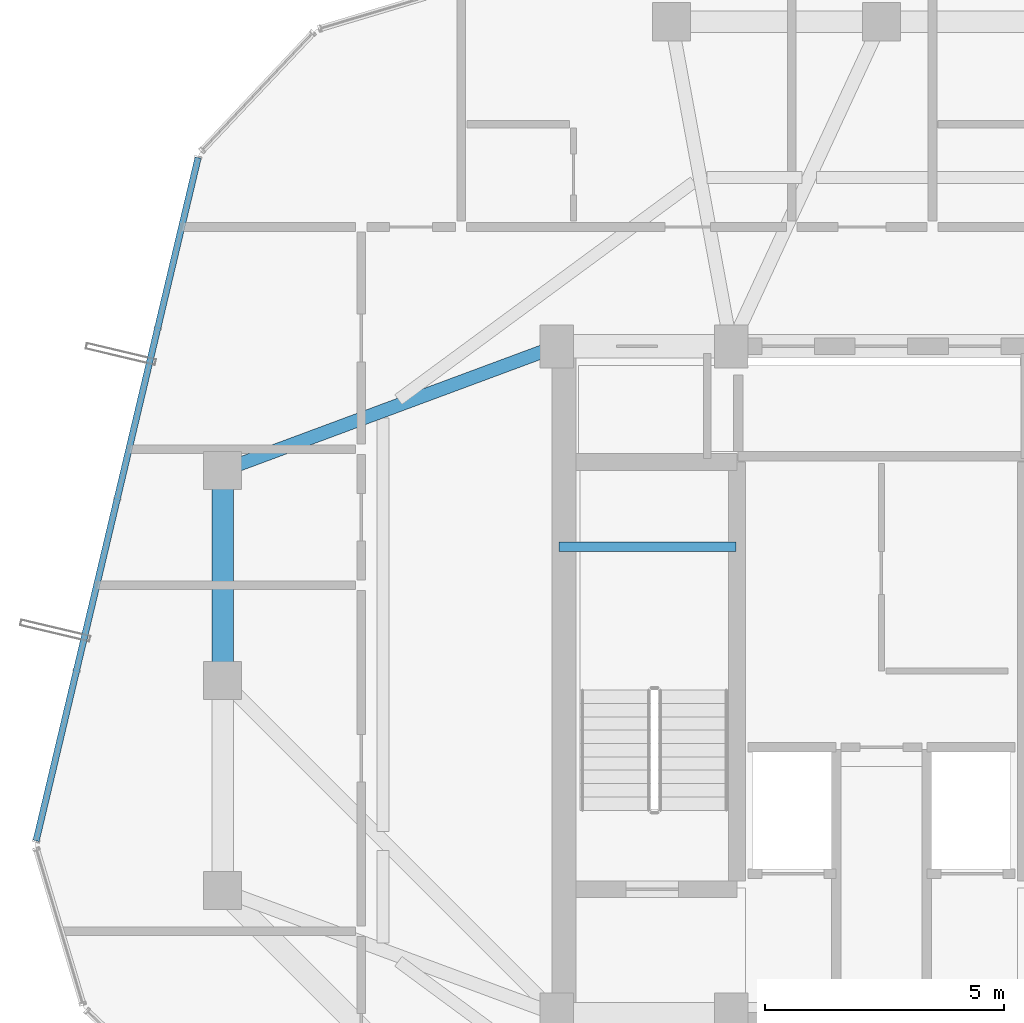
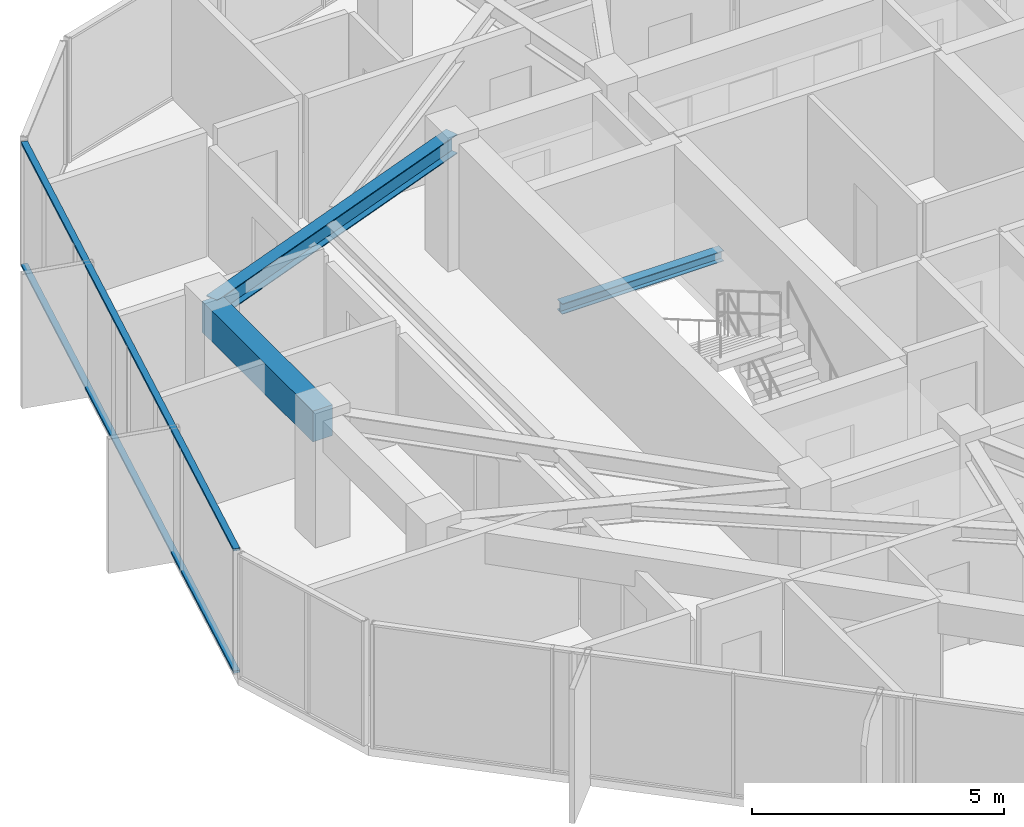
# One storey, part 12 of 28: 3 beams, 2 members, 1 element without a shape of its own.
"""IFC4 building model written with IfcOpenShell, lengths in metres."""

from ifc_helpers import new_model, si_unit, direction, frame, origin, origin_2d, place, context, subcontext, project, spatial, rectangle, hollow_rectangle, i_section, extrude, source, transform, mapped, material, layer, layer_set, material_profile, profile_set, type_object, element, aggregate, save


model = new_model("IFC4")

# Units and contexts
model_context = context("Model", 3, precision=1e-05, world=origin(), true_north=direction((0.0, 1.0)))
body_context = subcontext(model_context, "Body", "Model", "MODEL_VIEW")
ifc_project = project(units=[si_unit("LENGTHUNIT", "METRE"), si_unit("AREAUNIT", "SQUARE_METRE"), si_unit("VOLUMEUNIT", "CUBIC_METRE"), si_unit("PLANEANGLEUNIT", "RADIAN"), si_unit("MASSUNIT", "GRAM", prefix="KILO")], contexts=[model_context])

# Site, building, storey
site_placement = place(None, origin())
site = spatial("IfcSite", under=ifc_project, at=site_placement, CompositionType="ELEMENT")
building_placement = place(site_placement, origin())
building = spatial("IfcBuilding", under=site, at=building_placement, Name="Veraguas Prism Commons", CompositionType="ELEMENT")
storey_placement = place(building_placement, frame((0.0, 0.0, 254.5)))
storey = spatial("IfcBuildingStorey", under=building, at=storey_placement, Name="L72", CompositionType="ELEMENT", Elevation=254.5)

# Beams
ifc_material_1 = material(Name="Concrete C50/60", Category="concrete")
ifc_material_profile_1 = material_profile(ifc_material_1, rectangle(XDim=0.449951171875, YDim=0.75, at=origin_2d()), Name="RC450X750")
ifc_profile_set_1 = profile_set([ifc_material_profile_1], Name="Concrete C50/60")
beam_type_1 = type_object("IfcBeamType", Name="Perimeter Spandrel Upper RC 450x750", PredefinedType="SPANDREL", material=ifc_profile_set_1)
beam_1_placement = place(storey_placement, frame((10.199951171875, 28.39990234375, 2.639892578125), z_axis=(0.0, -1.0, 0.0), x_axis=(1.0, 0.0, 0.0)))
element("IfcBeam", 1, at=beam_1_placement, inside=storey, type_object=beam_type_1, Name="Perimeter Spandrel Beam L72-SP07", PredefinedType="SPANDREL", context=body_context, shape_type="SweptSolid", body=[
    extrude(rectangle(XDim=0.449951171875, YDim=0.75, at=origin_2d()), origin(), (0.0, 0.0, 1.0), 4.39990234375),
])
ifc_material_2 = material(Name="Steel ASTM A992 Grade 50", Category="steel")
ifc_material_profile_2 = material_profile(ifc_material_2, i_section(OverallWidth=0.202880859375, OverallDepth=0.251953125, WebThickness=0.008056640625, FlangeThickness=0.013427734375, at=origin_2d()), Name="W250X58")
ifc_profile_set_2 = profile_set([ifc_material_profile_2], Name="Steel ASTM A992 Grade 50")
beam_type_2 = type_object("IfcBeamType", Name="Structural Opening Lintel W250x58", PredefinedType="LINTEL", material=ifc_profile_set_2)
beam_2_placement = place(storey_placement, frame((17.25, 26.800048828125, 1.299072265625), z_axis=(1.0, 0.0, 0.0), x_axis=(0.0, 1.0, 0.0)))
element("IfcBeam", 2, at=beam_2_placement, inside=storey, type_object=beam_type_2, Name="Stair ST-01 Half-Landing Support Beam L72-1", PredefinedType="LINTEL", context=body_context, shape_type="SweptSolid", body=[
    extrude(i_section(OverallWidth=0.202880859375, OverallDepth=0.251953125, WebThickness=0.008056640625, FlangeThickness=0.013427734375, at=origin_2d()), origin(), (0.0, 0.0, 1.0), 3.699951171875),
])
ifc_material_profile_3 = material_profile(ifc_material_2, i_section(OverallWidth=0.282958984375, OverallDepth=0.471923828125, WebThickness=0.013671875, FlangeThickness=0.022216796875, at=origin_2d()), Name="W460X144")
ifc_profile_set_3 = profile_set([ifc_material_profile_3], Name="Steel ASTM A992 Grade 50")
beam_type_3 = type_object("IfcBeamType", Name="Zone 4 Radial Girder W460x144", PredefinedType="BEAM", material=ifc_profile_set_3)
beam_3_placement = place(storey_placement, frame((10.199951171875, 28.39990234375, 2.779052734375), z_axis=(0.937421003341, 0.348198021958, 0.0), x_axis=(-0.348198021958, 0.937421003341, 0.0)))
element("IfcBeam", 3, at=beam_3_placement, inside=storey, type_object=beam_type_3, Name="Radial Floor Girder L72-RD07", PredefinedType="BEAM", context=body_context, shape_type="SweptSolid", body=[
    extrude(i_section(OverallWidth=0.282958984375, OverallDepth=0.471923828125, WebThickness=0.013671875, FlangeThickness=0.022216796875, at=origin_2d()), origin(), (0.0, 0.0, 1.0), 7.46728515625),
])

# Curtain wall, members
ifc_material_3 = material(Name="Anodised aluminium EN AW-6063 T6", Category="aluminium")
ifc_layer = layer(ifc_material_3, 0.14990234375, Name="Unitised Flush Curtain Wall Zone 4", Category="aluminium")
ifc_layer_set = layer_set([ifc_layer], Name="Anodised aluminium EN AW-6063 T6")
curtain_wall_type = type_object("IfcCurtainWallType", Name="Unitised Flush Curtain Wall Zone 4", PredefinedType="NOTDEFINED", material=ifc_layer_set)
curtain_wall_placement = place(storey_placement, origin())
curtain_wall = element("IfcCurtainWall", 4, at=curtain_wall_placement, inside=storey, type_object=curtain_wall_type, Name="Tower Facade Curtain Wall L72-F3", PredefinedType="NOTDEFINED")
ifc_material_profile_4 = material_profile(ifc_material_3, hollow_rectangle(XDim=0.054931640625, YDim=0.135009765625, WallThickness=0.0029296875, at=origin_2d()), Name="AL55X135X3")
ifc_profile_set_4 = profile_set([ifc_material_profile_4], Name="Anodised aluminium EN AW-6063 T6")
member_type = type_object("IfcMemberType", Name="Curtain Wall Transom Standard AL 55x135x3", PredefinedType="USERDEFINED", material=ifc_profile_set_4)
shared_shape = source(origin(), body_context, "Body", "SweptSolid", [
    extrude(hollow_rectangle(XDim=0.054931640625, YDim=0.135009765625, WallThickness=0.0029296875, at=origin_2d()), origin(), (0.0, 0.0, 1.0), 14.70654296875),
])
member_1_placement = place(storey_placement, frame((9.686279296875, 34.951416015625, 0.027587890625), z_axis=(-0.230752627999, -0.973012448364, 0.0), x_axis=(0.0, 0.0, 1.0)))
member_1 = element("IfcMember", 5, at=member_1_placement, type_object=member_type, Name="CW-Z4 Transom 1", ObjectType="TRANSOM", PredefinedType="USERDEFINED", context=body_context, shape_type="MappedRepresentation", body=[
    mapped(shared_shape, transform((0.0, 0.0, 0.0), scale=1.0)),
])
member_2_placement = place(storey_placement, frame((9.686279296875, 34.951416015625, 2.987548828125), z_axis=(-0.230752627999, -0.973012448364, 0.0), x_axis=(0.0, 0.0, 1.0)))
member_2 = element("IfcMember", 6, at=member_2_placement, type_object=member_type, Name="CW-Z4 Transom 2", ObjectType="TRANSOM", PredefinedType="USERDEFINED", context=body_context, shape_type="MappedRepresentation", body=[
    mapped(shared_shape, transform((0.0, 0.0, 0.0), scale=1.0)),
])
aggregate(curtain_wall, [member_1, member_2])

save(model, "model.ifc")
